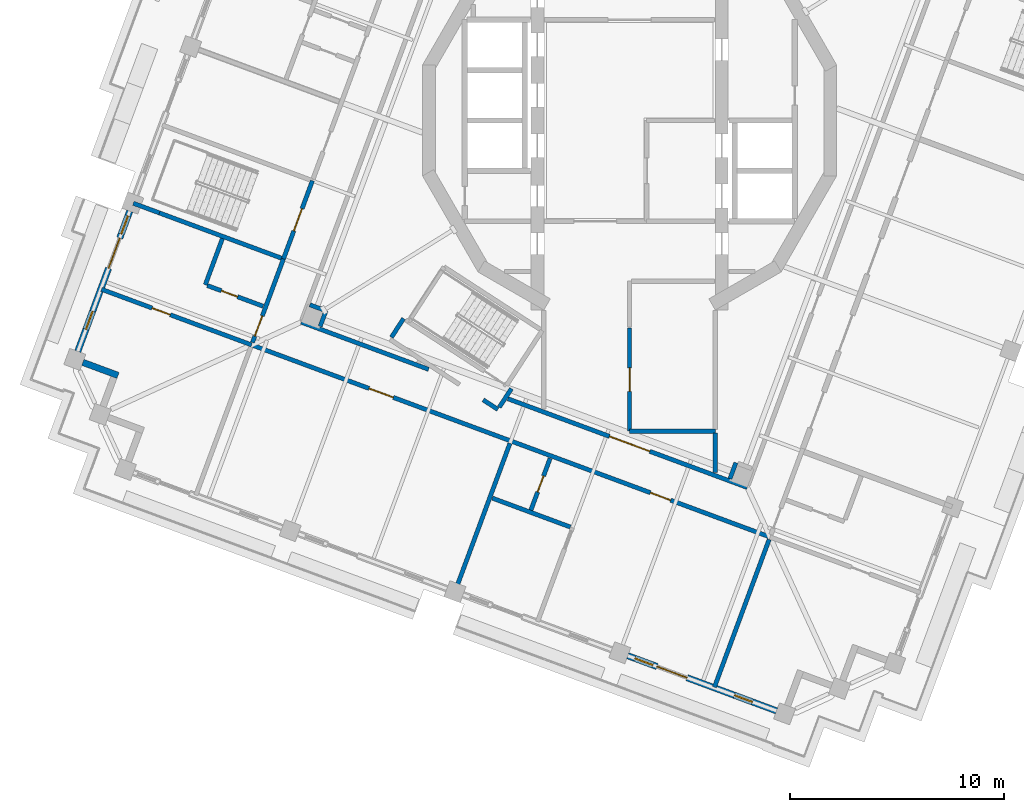
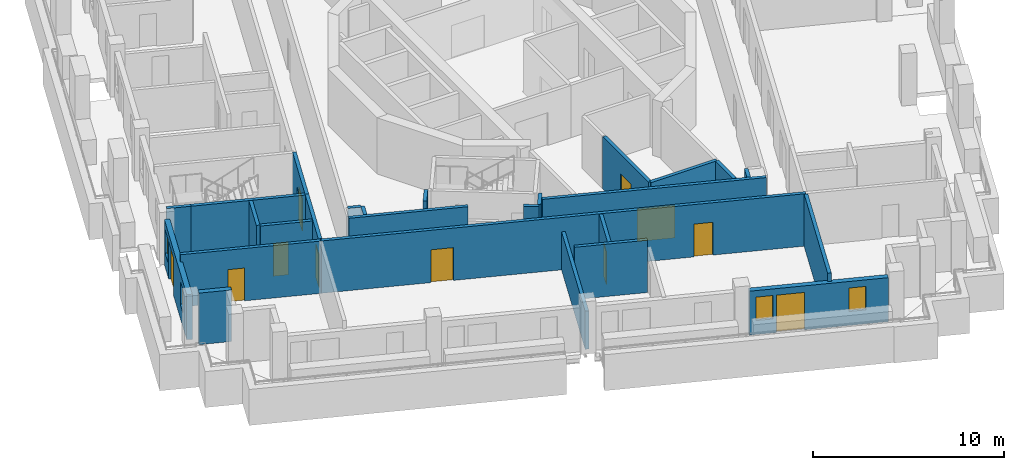
# One storey, part 4 of 19: 26 walls, 11 doors, 4 windows, 15 openings.
"""IFC4 building model written with IfcOpenShell, lengths in metres."""

from ifc_helpers import new_model, si_unit, direction, frame, frame_2d, origin, place, context, subcontext, project, spatial, rectangle, extrude, material, layer, layer_set, type_object, element, fill, save


model = new_model("IFC4")

# Units and contexts
model_context = context("Model", 3, precision=1e-05, world=origin(), true_north=direction((0.0, 1.0)))
body_context = subcontext(model_context, "Body", "Model", "MODEL_VIEW")
ifc_project = project(units=[si_unit("LENGTHUNIT", "METRE"), si_unit("AREAUNIT", "SQUARE_METRE"), si_unit("VOLUMEUNIT", "CUBIC_METRE"), si_unit("PLANEANGLEUNIT", "RADIAN"), si_unit("MASSUNIT", "GRAM", prefix="KILO")], contexts=[model_context])

# Site, building, storey
site_placement = place(None, origin())
site = spatial("IfcSite", under=ifc_project, at=site_placement, CompositionType="ELEMENT")
building_placement = place(site_placement, origin())
building = spatial("IfcBuilding", under=site, at=building_placement, Name="Cantera Rosa Tower", CompositionType="ELEMENT")
storey_placement = place(building_placement, frame((0.0, 0.0, 327.699951171875)))
storey = spatial("IfcBuildingStorey", under=building, at=storey_placement, Name="L73", CompositionType="ELEMENT", Elevation=327.699951171875)

# Wall, openings, doors
ifc_material_1 = material(Name="Gypsum board partition")
ifc_layer_1 = layer(ifc_material_1, 0.199951171875)
ifc_layer_set_1 = layer_set([ifc_layer_1], Name="CORRIDOR WALL 200 H3350")
wall_type_1 = type_object("IfcWallType", Name="CORRIDOR WALL 200 H3350", PredefinedType="PARTITIONING", material=ifc_layer_set_1)
wall_1_placement = place(storey_placement, frame((-17.61962890625, -10.48046875, 0.0), z_axis=(0.0, 0.0, 1.0), x_axis=(0.937683515105, -0.347490468214, 0.0)))
wall_1 = element("IfcWall", 1, at=wall_1_placement, inside=storey, type_object=wall_type_1, Name="CORRIDOR WALL L73-007", PredefinedType="PARTITIONING", context=body_context, shape_type="SweptSolid", body=[
    extrude(rectangle(XDim=25.77978515625, YDim=0.199951171875, at=frame_2d((12.889892578125, 0.0))), origin(), (0.0, 0.0, 1.0), 3.35009765625),
])
opening_1_placement = place(wall_1_placement, frame((5.830078125, 0.0, 0.0)))
opening_1 = element("IfcOpeningElement", 2, at=opening_1_placement, cuts=wall_1, Name="Opening L73-041", PredefinedType="OPENING", context=body_context, shape_type="SweptSolid", body=[
    extrude(rectangle(XDim=1.199951171875, YDim=2.10009765625, at=frame_2d((0.60009765625, 1.050048828125))), frame((0.0, 0.10986328125, 0.0), z_axis=(0.0, -1.0, 0.0), x_axis=(1.0, 0.0, 0.0)), (0.0, 0.0, 1.0), 0.219970703125),
])
opening_2_placement = place(wall_1_placement, frame((19.830078125, 0.0, 0.0)))
opening_2 = element("IfcOpeningElement", 3, at=opening_2_placement, cuts=wall_1, Name="Opening L73-042", PredefinedType="OPENING", context=body_context, shape_type="SweptSolid", body=[
    extrude(rectangle(XDim=1.0, YDim=2.10009765625, at=frame_2d((0.5, 1.050048828125))), frame((0.0, 0.10986328125, 0.0), z_axis=(0.0, -1.0, 0.0), x_axis=(1.0, 0.0, 0.0)), (0.0, 0.0, 1.0), 0.219970703125),
])
ifc_material_2 = material(Name="Timber door leaf", Category="wood")
door_type_1 = type_object("IfcDoorType", Name="ENTRANCE DOOR 1000x2100", OperationType="NOTDEFINED", PredefinedType="DOOR", material=ifc_material_2)
door_1_placement = place(opening_2_placement, origin())
door_1 = element("IfcDoor", 4, at=door_1_placement, inside=storey, type_object=door_type_1, Name="DOOR L73-042", OperationType="NOTDEFINED", OverallHeight=2.10009765625, OverallWidth=1.0, PredefinedType="DOOR", context=body_context, shape_type="SweptSolid", body=[
    extrude(rectangle(XDim=1.0, YDim=2.10009765625, at=frame_2d((0.5, 1.050048828125))), frame((0.0, 0.02490234375, 0.0), z_axis=(0.0, -1.0, 0.0), x_axis=(1.0, 0.0, 0.0)), (0.0, 0.0, 1.0), 0.050048828125),
])
fill(opening_2, door_1)
ifc_material_3 = material(Name="Timber door leaf", Category="wood")
door_type_2 = type_object("IfcDoorType", Name="ROOM DOOR 1200x2100", OperationType="NOTDEFINED", PredefinedType="DOOR", material=ifc_material_3)
door_2_placement = place(opening_1_placement, origin())
door_2 = element("IfcDoor", 5, at=door_2_placement, inside=storey, type_object=door_type_2, Name="DOOR L73-041", OperationType="NOTDEFINED", OverallHeight=2.10009765625, OverallWidth=1.199951171875, PredefinedType="DOOR", context=body_context, shape_type="SweptSolid", body=[
    extrude(rectangle(XDim=1.199951171875, YDim=2.10009765625, at=frame_2d((0.60009765625, 1.050048828125))), frame((0.0, 0.02490234375, 0.0), z_axis=(0.0, -1.0, 0.0), x_axis=(1.0, 0.0, 0.0)), (0.0, 0.0, 1.0), 0.050048828125),
])
fill(opening_1, door_2)

# Wall, opening, door
wall_2_placement = place(storey_placement, frame((-16.1513671875, -6.460205078125, 0.0), z_axis=(0.0, 0.0, 1.0), x_axis=(-0.34742903777, -0.937706277954, 0.0)))
wall_2 = element("IfcWall", 6, at=wall_2_placement, inside=storey, type_object=wall_type_1, Name="CORRIDOR WALL L73-010", PredefinedType="PARTITIONING", context=body_context, shape_type="SweptSolid", body=[
    extrude(rectangle(XDim=4.159912109375, YDim=0.199951171875, at=frame_2d((2.080078125, 0.0))), origin(), (0.0, 0.0, 1.0), 3.35009765625),
])
opening_3_placement = place(wall_2_placement, frame((2.840087890625, 0.0, 0.0)))
opening_3 = element("IfcOpeningElement", 7, at=opening_3_placement, cuts=wall_2, Name="Opening L73-038", PredefinedType="OPENING", context=body_context, shape_type="SweptSolid", body=[
    extrude(rectangle(XDim=1.0, YDim=2.10009765625, at=frame_2d((0.5, 1.050048828125))), frame((0.0, 0.10986328125, 0.0), z_axis=(0.0, -1.0, 0.0), x_axis=(1.0, 0.0, 0.0)), (0.0, 0.0, 1.0), 0.219970703125),
])
door_3_placement = place(opening_3_placement, origin())
door_3 = element("IfcDoor", 8, at=door_3_placement, inside=storey, type_object=door_type_1, Name="DOOR L73-038", OperationType="NOTDEFINED", OverallHeight=2.10009765625, OverallWidth=1.0, PredefinedType="DOOR", context=body_context, shape_type="SweptSolid", body=[
    extrude(rectangle(XDim=1.0, YDim=2.10009765625, at=frame_2d((0.5, 1.050048828125))), frame((0.0, 0.02490234375, 0.0), z_axis=(0.0, -1.0, 0.0), x_axis=(1.0, 0.0, 0.0)), (0.0, 0.0, 1.0), 0.050048828125),
])
fill(opening_3, door_3)

# Walls
wall_3_placement = place(storey_placement, frame((-15.3251953125, -9.4111328125, 0.0), z_axis=(0.0, 0.0, 1.0), x_axis=(0.937682798528, -0.347492401852, 0.0)))
element("IfcWall", 9, at=wall_3_placement, inside=storey, type_object=wall_type_1, Name="CORRIDOR WALL L73-013", PredefinedType="PARTITIONING", context=body_context, shape_type="SweptSolid", body=[
    extrude(rectangle(XDim=6.341552734375, YDim=0.199951171875, at=frame_2d((3.1708984375, 0.0))), origin(), (0.0, 0.0, 1.0), 3.35009765625),
])
wall_4_placement = place(storey_placement, frame((-6.83251953125, -13.038330078125, 0.0), z_axis=(0.0, 0.0, 1.0), x_axis=(0.838593374038, -0.54475788477, 0.0)))
element("IfcWall", 10, at=wall_4_placement, inside=storey, type_object=wall_type_1, Name="CORRIDOR WALL L73-023", PredefinedType="PARTITIONING", context=body_context, shape_type="SweptSolid", body=[
    extrude(rectangle(XDim=0.8193359375, YDim=0.199951171875, at=frame_2d((0.40966796875, 0.0))), origin(), (0.0, 0.0, 1.0), 3.35009765625),
])
for number, where, z_axis, x_axis, name in (
    (11, (-10.546630859375, -9.2451171875, 0.0), (0.0, 0.0, 1.0), (-0.544732150362, -0.838610090782, 0.0), "CORRIDOR WALL L73-025"),
    (12, (-6.080078125, -13.3837890625, 0.0), (0.0, 0.0, 1.0), (0.544566778899, 0.838717487191, 0.0), "CORRIDOR WALL L73-039"),
):
    element("IfcWall", number, at=place(storey_placement, frame(where, z_axis=z_axis, x_axis=x_axis)), inside=storey, type_object=wall_type_1, Name=name, PredefinedType="PARTITIONING", context=body_context, shape_type="SweptSolid", body=[
        extrude(rectangle(XDim=1.038330078125, YDim=0.199951171875, at=frame_2d((0.51904296875, 0.0))), origin(), (0.0, 0.0, 1.0), 3.35009765625),
    ])

# Wall, opening, door
wall_5_placement = place(storey_placement, frame((-5.681396484375, -12.98486328125, 0.0), z_axis=(0.0, 0.0, 1.0), x_axis=(0.937686213924, -0.347483185516, 0.0)))
wall_5 = element("IfcWall", 13, at=wall_5_placement, inside=storey, type_object=wall_type_1, Name="CORRIDOR WALL L73-042", PredefinedType="PARTITIONING", context=body_context, shape_type="SweptSolid", body=[
    extrude(rectangle(XDim=11.915283203125, YDim=0.199951171875, at=frame_2d((5.95751953125, 0.0))), origin(), (0.0, 0.0, 1.0), 3.35009765625),
])
opening_4_placement = place(wall_5_placement, frame((5.05908203125, 0.0, 0.0)))
opening_4 = element("IfcOpeningElement", 14, at=opening_4_placement, cuts=wall_5, Name="Opening L73-011", PredefinedType="OPENING", context=body_context, shape_type="SweptSolid", body=[
    extrude(rectangle(XDim=2.0, YDim=2.10009765625, at=frame_2d((1.0, 1.050048828125))), frame((0.0, 0.10986328125, 0.0), z_axis=(0.0, -1.0, 0.0), x_axis=(1.0, 0.0, 0.0)), (0.0, 0.0, 1.0), 0.219970703125),
])
ifc_material_4 = material(Name="Steel S355J2 (EN 10025-2)", Category="steel")
door_type_3 = type_object("IfcDoorType", Name="LOBBY SCREEN DOOR 2000x2100", OperationType="NOTDEFINED", PredefinedType="DOOR", material=ifc_material_4)
door_4_placement = place(opening_4_placement, origin())
door_4 = element("IfcDoor", 15, at=door_4_placement, inside=storey, type_object=door_type_3, Name="DOOR L73-011", OperationType="NOTDEFINED", OverallHeight=2.10009765625, OverallWidth=2.0, PredefinedType="DOOR", context=body_context, shape_type="SweptSolid", body=[
    extrude(rectangle(XDim=2.0, YDim=2.10009765625, at=frame_2d((1.0, 1.050048828125))), frame((0.0, 0.02490234375, 0.0), z_axis=(0.0, -1.0, 0.0), x_axis=(1.0, 0.0, 0.0)), (0.0, 0.0, 1.0), 0.050048828125),
])
fill(opening_4, door_4)

# Wall
wall_6_placement = place(storey_placement, frame((0.0, -14.5, 0.0), z_axis=(0.0, 0.0, 1.0), x_axis=(1.0, 0.0, 0.0)))
element("IfcWall", 16, at=wall_6_placement, inside=storey, type_object=wall_type_1, Name="CORRIDOR WALL L73-062", PredefinedType="PARTITIONING", context=body_context, shape_type="SweptSolid", body=[
    extrude(rectangle(XDim=4.0, YDim=0.199951171875, at=frame_2d((2.0, 0.0))), origin(), (0.0, 0.0, 1.0), 3.35009765625),
])

# Wall, opening, door
wall_7_placement = place(storey_placement, frame((0.0, -9.689208984375, 0.0), z_axis=(0.0, 0.0, 1.0), x_axis=(0.0, -1.0, 0.0)))
wall_7 = element("IfcWall", 17, at=wall_7_placement, inside=storey, type_object=wall_type_1, Name="CORRIDOR WALL L73-063", PredefinedType="PARTITIONING", context=body_context, shape_type="SweptSolid", body=[
    extrude(rectangle(XDim=4.810791015625, YDim=0.199951171875, at=frame_2d((2.4052734375, 0.0))), origin(), (0.0, 0.0, 1.0), 3.35009765625),
])
opening_5_placement = place(wall_7_placement, frame((1.85546875, 0.0, 0.0)))
opening_5 = element("IfcOpeningElement", 18, at=opening_5_placement, cuts=wall_7, Name="Opening L73-015", PredefinedType="OPENING", context=body_context, shape_type="SweptSolid", body=[
    extrude(rectangle(XDim=1.10009765625, YDim=2.10009765625, at=frame_2d((0.550048828125, 1.050048828125))), frame((0.0, 0.10986328125, 0.0), z_axis=(0.0, -1.0, 0.0), x_axis=(1.0, 0.0, 0.0)), (0.0, 0.0, 1.0), 0.219970703125),
])
ifc_material_5 = material(Name="Timber door leaf", Category="wood")
door_type_4 = type_object("IfcDoorType", Name="ROOM DOOR 1100x2100", OperationType="NOTDEFINED", PredefinedType="DOOR", material=ifc_material_5)
door_5_placement = place(opening_5_placement, origin())
door_5 = element("IfcDoor", 19, at=door_5_placement, inside=storey, type_object=door_type_4, Name="DOOR L73-015", OperationType="NOTDEFINED", OverallHeight=2.10009765625, OverallWidth=1.10009765625, PredefinedType="DOOR", context=body_context, shape_type="SweptSolid", body=[
    extrude(rectangle(XDim=1.10009765625, YDim=2.10009765625, at=frame_2d((0.550048828125, 1.050048828125))), frame((0.0, 0.02490234375, 0.0), z_axis=(0.0, -1.0, 0.0), x_axis=(1.0, 0.0, 0.0)), (0.0, 0.0, 1.0), 0.050048828125),
])
fill(opening_5, door_5)

# Walls
wall_8_placement = place(storey_placement, frame((4.0, -16.4326171875, 0.0), z_axis=(0.0, 0.0, 1.0), x_axis=(0.0, 1.0, 0.0)))
element("IfcWall", 20, at=wall_8_placement, inside=storey, type_object=wall_type_1, Name="CORRIDOR WALL L73-077", PredefinedType="PARTITIONING", context=body_context, shape_type="SweptSolid", body=[
    extrude(rectangle(XDim=1.8525390625, YDim=0.199951171875, at=frame_2d((0.92626953125, 0.0))), origin(), (0.0, 0.0, 1.0), 3.35009765625),
])
ifc_material_6 = material(Name="Hollow clay masonry with cantera stone cladding", Category="masonry")
ifc_layer_2 = layer(ifc_material_6, 0.300048828125)
ifc_layer_set_2 = layer_set([ifc_layer_2], Name="EW-LOGGIA 300")
wall_type_2 = type_object("IfcWallType", Name="EW-LOGGIA 300", PredefinedType="SOLIDWALL", material=ifc_layer_set_2)
wall_9_placement = place(storey_placement, frame((-25.51220703125, -11.288330078125, 0.0), z_axis=(0.0, 0.0, 1.0), x_axis=(0.937669639538, -0.34752790836, 0.0)))
element("IfcWall", 21, at=wall_9_placement, inside=storey, type_object=wall_type_2, Name="EN-L73-W12a", PredefinedType="SOLIDWALL", context=body_context, shape_type="SweptSolid", body=[
    extrude(rectangle(XDim=1.75, YDim=0.300048828125, at=frame_2d((0.875, 0.0))), origin(), (0.0, 0.0, 1.0), 3.300048828125),
])

# Wall, openings, windows, door
ifc_material_7 = material(Name="Hollow clay masonry with cantera stone cladding", Category="masonry")
ifc_layer_3 = layer(ifc_material_7, 0.300048828125)
ifc_layer_set_3 = layer_set([ifc_layer_3], Name="EW-LOGGIA 300 H2820")
wall_type_3 = type_object("IfcWallType", Name="EW-LOGGIA 300 H2820", PredefinedType="SOLIDWALL", material=ifc_layer_set_3)
wall_10_placement = place(storey_placement, frame((-0.084228515625, -24.97705078125, 0.0), z_axis=(0.0, 0.0, 1.0), x_axis=(0.937687456783, -0.347479831633, 0.0)))
wall_10 = element("IfcWall", 22, at=wall_10_placement, inside=storey, type_object=wall_type_3, Name="EN-L73-W17", PredefinedType="SOLIDWALL", context=body_context, shape_type="SweptSolid", body=[
    extrude(rectangle(XDim=7.39990234375, YDim=0.300048828125, at=frame_2d((3.699951171875, 0.0))), origin(), (0.0, 0.0, 1.0), 2.820068359375),
])
opening_6_placement = place(wall_10_placement, frame((0.35009765625, 0.0, 0.89990234375)))
opening_6 = element("IfcOpeningElement", 23, at=opening_6_placement, cuts=wall_10, Name="Opening L73-W37", PredefinedType="OPENING", context=body_context, shape_type="SweptSolid", body=[
    extrude(rectangle(XDim=0.89990234375, YDim=1.5, at=frame_2d((0.449951171875, 0.75))), frame((0.0, 0.159912109375, 0.0), z_axis=(0.0, -1.0, 0.0), x_axis=(1.0, 0.0, 0.0)), (0.0, 0.0, 1.0), 0.320068359375),
])
opening_7_placement = place(wall_10_placement, frame((1.449951171875, 0.0, 0.0)))
opening_7 = element("IfcOpeningElement", 24, at=opening_7_placement, cuts=wall_10, Name="Opening L73-TD38", PredefinedType="OPENING", context=body_context, shape_type="SweptSolid", body=[
    extrude(rectangle(XDim=1.5, YDim=2.39990234375, at=frame_2d((0.75, 1.199951171875))), frame((0.0, 0.159912109375, 0.0), z_axis=(0.0, -1.0, 0.0), x_axis=(1.0, 0.0, 0.0)), (0.0, 0.0, 1.0), 0.320068359375),
])
opening_8_placement = place(wall_10_placement, frame((5.300048828125, 0.0, 0.89990234375)))
opening_8 = element("IfcOpeningElement", 25, at=opening_8_placement, cuts=wall_10, Name="Opening L73-W39", PredefinedType="OPENING", context=body_context, shape_type="SweptSolid", body=[
    extrude(rectangle(XDim=0.89990234375, YDim=1.5, at=frame_2d((0.449951171875, 0.75))), frame((0.0, 0.159912109375, 0.0), z_axis=(0.0, -1.0, 0.0), x_axis=(1.0, 0.0, 0.0)), (0.0, 0.0, 1.0), 0.320068359375),
])
ifc_material_8 = material(Name="Aluminium frame with clear glass", Category="aluminium")
window_type = type_object("IfcWindowType", Name="Residential window 900x1500", PartitioningType="SINGLE_PANEL", PredefinedType="WINDOW", material=ifc_material_8)
window_1_placement = place(opening_6_placement, origin())
window_1 = element("IfcWindow", 26, at=window_1_placement, inside=storey, type_object=window_type, Name="WINDOW L73-W37", OverallHeight=1.5, OverallWidth=0.89990234375, PartitioningType="SINGLE_PANEL", PredefinedType="WINDOW", context=body_context, shape_type="SweptSolid", body=[
    extrude(rectangle(XDim=0.89990234375, YDim=1.5, at=frame_2d((0.449951171875, 0.75))), frame((0.0, 0.030029296875, 0.0), z_axis=(0.0, -1.0, 0.0), x_axis=(1.0, 0.0, 0.0)), (0.0, 0.0, 1.0), 0.06005859375),
])
fill(opening_6, window_1)
window_2_placement = place(opening_8_placement, origin())
window_2 = element("IfcWindow", 27, at=window_2_placement, inside=storey, type_object=window_type, Name="WINDOW L73-W39", OverallHeight=1.5, OverallWidth=0.89990234375, PartitioningType="SINGLE_PANEL", PredefinedType="WINDOW", context=body_context, shape_type="SweptSolid", body=[
    extrude(rectangle(XDim=0.89990234375, YDim=1.5, at=frame_2d((0.449951171875, 0.75))), frame((0.0, 0.030029296875, 0.0), z_axis=(0.0, -1.0, 0.0), x_axis=(1.0, 0.0, 0.0)), (0.0, 0.0, 1.0), 0.06005859375),
])
fill(opening_8, window_2)
ifc_material_9 = material(Name="Aluminium frame with clear glass", Category="aluminium")
door_type_5 = type_object("IfcDoorType", Name="TD-R 1500x2400", OperationType="NOTDEFINED", PredefinedType="DOOR", material=ifc_material_9)
door_6_placement = place(opening_7_placement, origin())
door_6 = element("IfcDoor", 28, at=door_6_placement, inside=storey, type_object=door_type_5, Name="LOGGIA DOOR L73-TD38", OperationType="SLIDING_TO_LEFT", OverallHeight=2.39990234375, OverallWidth=1.5, PredefinedType="DOOR", context=body_context, shape_type="SweptSolid", body=[
    extrude(rectangle(XDim=1.5, YDim=2.39990234375, at=frame_2d((0.75, 1.199951171875))), frame((0.0, 0.02490234375, 0.0), z_axis=(0.0, -1.0, 0.0), x_axis=(1.0, 0.0, 0.0)), (0.0, 0.0, 1.0), 0.050048828125),
])
fill(opening_7, door_6)

ifc_material_10 = material(Name="Hollow clay masonry with cantera stone cladding", Category="masonry")
ifc_layer_4 = layer(ifc_material_10, 0.300048828125)
ifc_layer_set_4 = layer_set([ifc_layer_4], Name="EW-LOGGIA 300 H2890")
wall_type_4 = type_object("IfcWallType", Name="EW-LOGGIA 300 H2890", PredefinedType="SOLIDWALL", material=ifc_layer_set_4)
wall_11_placement = place(storey_placement, frame((-23.322998046875, -4.229248046875, 0.0), z_axis=(0.0, 0.0, 1.0), x_axis=(-0.347460165909, -0.937694744097, 0.0)))
wall_11 = element("IfcWall", 29, at=wall_11_placement, inside=storey, type_object=wall_type_4, Name="EN-L73-W11", PredefinedType="SOLIDWALL", context=body_context, shape_type="SweptSolid", body=[
    extrude(rectangle(XDim=6.97998046875, YDim=0.300048828125, at=frame_2d((3.489990234375, 0.0))), origin(), (0.0, 0.0, 1.0), 2.89013671875),
])
opening_9_placement = place(wall_11_placement, frame((0.2451171875, 0.0, 0.89990234375)))
opening_9 = element("IfcOpeningElement", 30, at=opening_9_placement, cuts=wall_11, Name="Opening L73-W25", PredefinedType="OPENING", context=body_context, shape_type="SweptSolid", body=[
    extrude(rectangle(XDim=0.89990234375, YDim=1.5, at=frame_2d((0.449951171875, 0.75))), frame((0.0, 0.159912109375, 0.0), z_axis=(0.0, -1.0, 0.0), x_axis=(1.0, 0.0, 0.0)), (0.0, 0.0, 1.0), 0.320068359375),
])
opening_10_placement = place(wall_11_placement, frame((1.344970703125, 0.0, 0.0)))
opening_10 = element("IfcOpeningElement", 31, at=opening_10_placement, cuts=wall_11, Name="Opening L73-TD26", PredefinedType="OPENING", context=body_context, shape_type="SweptSolid", body=[
    extrude(rectangle(XDim=1.5, YDim=2.39990234375, at=frame_2d((0.75, 1.199951171875))), frame((0.0, 0.159912109375, 0.0), z_axis=(0.0, -1.0, 0.0), x_axis=(1.0, 0.0, 0.0)), (0.0, 0.0, 1.0), 0.320068359375),
])
opening_11_placement = place(wall_11_placement, frame((4.985107421875, 0.0, 0.89990234375)))
opening_11 = element("IfcOpeningElement", 32, at=opening_11_placement, cuts=wall_11, Name="Opening L73-W27", PredefinedType="OPENING", context=body_context, shape_type="SweptSolid", body=[
    extrude(rectangle(XDim=0.89990234375, YDim=1.5, at=frame_2d((0.449951171875, 0.75))), frame((0.0, 0.159912109375, 0.0), z_axis=(0.0, -1.0, 0.0), x_axis=(1.0, 0.0, 0.0)), (0.0, 0.0, 1.0), 0.320068359375),
])
window_3_placement = place(opening_9_placement, origin())
window_3 = element("IfcWindow", 33, at=window_3_placement, inside=storey, type_object=window_type, Name="WINDOW L73-W25", OverallHeight=1.5, OverallWidth=0.89990234375, PartitioningType="SINGLE_PANEL", PredefinedType="WINDOW", context=body_context, shape_type="SweptSolid", body=[
    extrude(rectangle(XDim=0.89990234375, YDim=1.5, at=frame_2d((0.449951171875, 0.75))), frame((0.0, 0.030029296875, 0.0), z_axis=(0.0, -1.0, 0.0), x_axis=(1.0, 0.0, 0.0)), (0.0, 0.0, 1.0), 0.06005859375),
])
fill(opening_9, window_3)
window_4_placement = place(opening_11_placement, origin())
window_4 = element("IfcWindow", 34, at=window_4_placement, inside=storey, type_object=window_type, Name="WINDOW L73-W27", OverallHeight=1.5, OverallWidth=0.89990234375, PartitioningType="SINGLE_PANEL", PredefinedType="WINDOW", context=body_context, shape_type="SweptSolid", body=[
    extrude(rectangle(XDim=0.89990234375, YDim=1.5, at=frame_2d((0.449951171875, 0.75))), frame((0.0, 0.030029296875, 0.0), z_axis=(0.0, -1.0, 0.0), x_axis=(1.0, 0.0, 0.0)), (0.0, 0.0, 1.0), 0.06005859375),
])
fill(opening_11, window_4)
door_7_placement = place(opening_10_placement, origin())
door_7 = element("IfcDoor", 35, at=door_7_placement, inside=storey, type_object=door_type_5, Name="LOGGIA DOOR L73-TD26", OperationType="SLIDING_TO_LEFT", OverallHeight=2.39990234375, OverallWidth=1.5, PredefinedType="DOOR", context=body_context, shape_type="SweptSolid", body=[
    extrude(rectangle(XDim=1.5, YDim=2.39990234375, at=frame_2d((0.75, 1.199951171875))), frame((0.0, 0.02490234375, 0.0), z_axis=(0.0, -1.0, 0.0), x_axis=(1.0, 0.0, 0.0)), (0.0, 0.0, 1.0), 0.050048828125),
])
fill(opening_10, door_7)

# Wall, opening, door
ifc_material_11 = material(Name="Gypsum board partition")
ifc_layer_5 = layer(ifc_material_11, 0.199951171875)
ifc_layer_set_5 = layer_set([ifc_layer_5], Name="PARTITION 200 H3350")
wall_type_5 = type_object("IfcWallType", Name="PARTITION 200 H3350", PredefinedType="PARTITIONING", material=ifc_layer_set_5)
wall_12_placement = place(storey_placement, frame((-24.64306640625, -7.8779296875, 0.0), z_axis=(0.0, 0.0, 1.0), x_axis=(0.93768803379, -0.347478274555, 0.0)))
wall_12 = element("IfcWall", 36, at=wall_12_placement, inside=storey, type_object=wall_type_5, Name="PARTITION L73-001", PredefinedType="PARTITIONING", context=body_context, shape_type="SweptSolid", body=[
    extrude(rectangle(XDim=7.47021484375, YDim=0.199951171875, at=frame_2d((3.735107421875, 0.0))), origin(), (0.0, 0.0, 1.0), 3.35009765625),
])
opening_12_placement = place(wall_12_placement, frame((2.52001953125, 0.0, 0.0)))
opening_12 = element("IfcOpeningElement", 37, at=opening_12_placement, cuts=wall_12, Name="Opening L73-040", PredefinedType="OPENING", context=body_context, shape_type="SweptSolid", body=[
    extrude(rectangle(XDim=0.89990234375, YDim=2.10009765625, at=frame_2d((0.449951171875, 1.050048828125))), frame((0.0, 0.10986328125, 0.0), z_axis=(0.0, -1.0, 0.0), x_axis=(1.0, 0.0, 0.0)), (0.0, 0.0, 1.0), 0.219970703125),
])
ifc_material_12 = material(Name="Timber door leaf", Category="wood")
door_type_6 = type_object("IfcDoorType", Name="ROOM DOOR 900x2100", OperationType="NOTDEFINED", PredefinedType="DOOR", material=ifc_material_12)
door_8_placement = place(opening_12_placement, origin())
door_8 = element("IfcDoor", 38, at=door_8_placement, inside=storey, type_object=door_type_6, Name="DOOR L73-040", OperationType="NOTDEFINED", OverallHeight=2.10009765625, OverallWidth=0.89990234375, PredefinedType="DOOR", context=body_context, shape_type="SweptSolid", body=[
    extrude(rectangle(XDim=0.89990234375, YDim=2.10009765625, at=frame_2d((0.449951171875, 1.050048828125))), frame((0.0, 0.02490234375, 0.0), z_axis=(0.0, -1.0, 0.0), x_axis=(1.0, 0.0, 0.0)), (0.0, 0.0, 1.0), 0.050048828125),
])
fill(opening_12, door_8)

# Wall
wall_13_placement = place(storey_placement, frame((-19.79833984375, -7.668212890625, 0.0), z_axis=(0.0, 0.0, 1.0), x_axis=(0.347549446773, 0.937661656488, 0.0)))
element("IfcWall", 39, at=wall_13_placement, inside=storey, type_object=wall_type_5, Name="PARTITION L73-003", PredefinedType="PARTITIONING", context=body_context, shape_type="SweptSolid", body=[
    extrude(rectangle(XDim=2.2998046875, YDim=0.199951171875, at=frame_2d((1.14990234375, 0.0))), origin(), (0.0, 0.0, 1.0), 3.35009765625),
])

# Wall, opening, door
wall_14_placement = place(storey_placement, frame((-17.09765625, -8.6689453125, 0.0), z_axis=(0.0, 0.0, 1.0), x_axis=(-0.937714858081, 0.347405879244, 0.0)))
wall_14 = element("IfcWall", 40, at=wall_14_placement, inside=storey, type_object=wall_type_5, Name="PARTITION L73-008", PredefinedType="PARTITIONING", context=body_context, shape_type="SweptSolid", body=[
    extrude(rectangle(XDim=2.780029296875, YDim=0.199951171875, at=frame_2d((1.39013671875, 0.0))), origin(), (0.0, 0.0, 1.0), 3.35009765625),
])
opening_13_placement = place(wall_14_placement, frame((1.280029296875, 0.0, 0.0)))
opening_13 = element("IfcOpeningElement", 41, at=opening_13_placement, cuts=wall_14, Name="Opening L73-039", PredefinedType="OPENING", context=body_context, shape_type="SweptSolid", body=[
    extrude(rectangle(XDim=0.800048828125, YDim=2.10009765625, at=frame_2d((0.39990234375, 1.050048828125))), frame((0.0, 0.10986328125, 0.0), z_axis=(0.0, -1.0, 0.0), x_axis=(1.0, 0.0, 0.0)), (0.0, 0.0, 1.0), 0.219970703125),
])
ifc_material_13 = material(Name="Timber door leaf", Category="wood")
door_type_7 = type_object("IfcDoorType", Name="BATHROOM DOOR 800x2100", OperationType="NOTDEFINED", PredefinedType="DOOR", material=ifc_material_13)
door_9_placement = place(opening_13_placement, origin())
door_9 = element("IfcDoor", 42, at=door_9_placement, inside=storey, type_object=door_type_7, Name="DOOR L73-039", OperationType="NOTDEFINED", OverallHeight=2.10009765625, OverallWidth=0.800048828125, PredefinedType="DOOR", context=body_context, shape_type="SweptSolid", body=[
    extrude(rectangle(XDim=0.800048828125, YDim=2.10009765625, at=frame_2d((0.39990234375, 1.050048828125))), frame((0.0, 0.02490234375, 0.0), z_axis=(0.0, -1.0, 0.0), x_axis=(1.0, 0.0, 0.0)), (0.0, 0.0, 1.0), 0.050048828125),
])
fill(opening_13, door_9)

# Walls
wall_15_placement = place(storey_placement, frame((-14.439697265625, -9.611328125, 0.0), z_axis=(0.0, 0.0, 1.0), x_axis=(0.347691457596, 0.937609007164, 0.0)))
element("IfcWall", 43, at=wall_15_placement, inside=storey, type_object=wall_type_5, Name="PARTITION L73-017", PredefinedType="PARTITIONING", context=body_context, shape_type="SweptSolid", body=[
    extrude(rectangle(XDim=0.780029296875, YDim=0.199951171875, at=frame_2d((0.39013671875, 0.0))), origin(), (0.0, 0.0, 1.0), 3.35009765625),
])
wall_16_placement = place(storey_placement, frame((-14.26220703125, -8.84521484375, 0.0), z_axis=(0.0, 0.0, 1.0), x_axis=(-0.937740347131, 0.347337071678, 0.0)))
element("IfcWall", 44, at=wall_16_placement, inside=storey, type_object=wall_type_5, Name="PARTITION L73-018", PredefinedType="PARTITIONING", context=body_context, shape_type="SweptSolid", body=[
    extrude(rectangle(XDim=0.7001953125, YDim=0.199951171875, at=frame_2d((0.35009765625, 0.0))), origin(), (0.0, 0.0, 1.0), 3.35009765625),
])

# Wall, opening, door
wall_17_placement = place(storey_placement, frame((-3.70849609375, -15.763671875, 0.0), z_axis=(0.0, 0.0, 1.0), x_axis=(-0.347563980018, -0.937656269533, 0.0)))
wall_17 = element("IfcWall", 45, at=wall_17_placement, inside=storey, type_object=wall_type_5, Name="PARTITION L73-057", PredefinedType="PARTITIONING", context=body_context, shape_type="SweptSolid", body=[
    extrude(rectangle(XDim=2.580078125, YDim=0.199951171875, at=frame_2d((1.2900390625, 0.0))), origin(), (0.0, 0.0, 1.0), 3.35009765625),
])
opening_14_placement = place(wall_17_placement, frame((0.8798828125, 0.0, 0.0)))
opening_14 = element("IfcOpeningElement", 46, at=opening_14_placement, cuts=wall_17, Name="Opening L73-043", PredefinedType="OPENING", context=body_context, shape_type="SweptSolid", body=[
    extrude(rectangle(XDim=0.800048828125, YDim=2.10009765625, at=frame_2d((0.39990234375, 1.050048828125))), frame((0.0, 0.10986328125, 0.0), z_axis=(0.0, -1.0, 0.0), x_axis=(1.0, 0.0, 0.0)), (0.0, 0.0, 1.0), 0.219970703125),
])
door_10_placement = place(opening_14_placement, origin())
door_10 = element("IfcDoor", 47, at=door_10_placement, inside=storey, type_object=door_type_7, Name="DOOR L73-043", OperationType="NOTDEFINED", OverallHeight=2.10009765625, OverallWidth=0.800048828125, PredefinedType="DOOR", context=body_context, shape_type="SweptSolid", body=[
    extrude(rectangle(XDim=0.800048828125, YDim=2.10009765625, at=frame_2d((0.39990234375, 1.050048828125))), frame((0.0, 0.02490234375, 0.0), z_axis=(0.0, -1.0, 0.0), x_axis=(1.0, 0.0, 0.0)), (0.0, 0.0, 1.0), 0.050048828125),
])
fill(opening_14, door_10)

# Walls
wall_18_placement = place(storey_placement, frame((-2.764404296875, -18.9716796875, 0.0), z_axis=(0.0, 0.0, 1.0), x_axis=(-0.937679675648, 0.347500828599, 0.0)))
element("IfcWall", 48, at=wall_18_placement, inside=storey, type_object=wall_type_5, Name="PARTITION L73-058", PredefinedType="PARTITIONING", context=body_context, shape_type="SweptSolid", body=[
    extrude(rectangle(XDim=3.880126953125, YDim=0.199951171875, at=frame_2d((1.93994140625, 0.0))), origin(), (0.0, 0.0, 1.0), 3.35009765625),
])
wall_19_placement = place(storey_placement, frame((4.960205078125, -15.96875, 0.0), z_axis=(0.0, 0.0, 1.0), x_axis=(-0.34737400582, -0.937726665975, 0.0)))
element("IfcWall", 49, at=wall_19_placement, inside=storey, type_object=wall_type_5, Name="PARTITION L73-084", PredefinedType="PARTITIONING", context=body_context, shape_type="SweptSolid", body=[
    extrude(rectangle(XDim=0.7998046875, YDim=0.199951171875, at=frame_2d((0.39990234375, 0.0))), origin(), (0.0, 0.0, 1.0), 3.35009765625),
])
ifc_material_14 = material(Name="Gypsum board partition")
ifc_layer_6 = layer(ifc_material_14, 0.199951171875)
ifc_layer_set_6 = layer_set([ifc_layer_6], Name="PARTY WALL 200 H2450")
wall_type_6 = type_object("IfcWallType", Name="PARTY WALL 200 H2450", PredefinedType="PARTITIONING", material=ifc_layer_set_6)
wall_20_placement = place(storey_placement, frame((-5.583984375, -15.068603515625, 0.0), z_axis=(0.0, 0.0, 1.0), x_axis=(-0.347473379308, -0.937689847803, 0.0)))
element("IfcWall", 50, at=wall_20_placement, inside=storey, type_object=wall_type_6, Name="PARTY WALL L73-044", PredefinedType="PARTITIONING", context=body_context, shape_type="SweptSolid", body=[
    extrude(rectangle(XDim=7.35009765625, YDim=0.199951171875, at=frame_2d((3.675048828125, 0.0))), origin(), (0.0, 0.0, 1.0), 2.449951171875),
])
ifc_material_15 = material(Name="Gypsum board partition")
ifc_layer_7 = layer(ifc_material_15, 0.199951171875)
ifc_layer_set_7 = layer_set([ifc_layer_7], Name="PARTY WALL 200 H3350")
wall_type_7 = type_object("IfcWallType", Name="PARTY WALL 200 H3350", PredefinedType="PARTITIONING", material=ifc_layer_set_7)
wall_21_placement = place(storey_placement, frame((3.958251953125, -26.443115234375, 0.0), z_axis=(0.0, 0.0, 1.0), x_axis=(0.347473379308, 0.937689847803, 0.0)))
element("IfcWall", 51, at=wall_21_placement, inside=storey, type_object=wall_type_7, Name="PARTY WALL L73-074", PredefinedType="PARTITIONING", context=body_context, shape_type="SweptSolid", body=[
    extrude(rectangle(XDim=7.35009765625, YDim=0.199951171875, at=frame_2d((3.675048828125, 0.0))), origin(), (0.0, 0.0, 1.0), 3.35009765625),
])
ifc_material_16 = material(Name="Concrete C50/60", Category="concrete")
ifc_layer_8 = layer(ifc_material_16, 0.199951171875)
ifc_layer_set_8 = layer_set([ifc_layer_8], Name="STAIR WALL 200 H3350")
wall_type_8 = type_object("IfcWallType", Name="STAIR WALL 200 H3350", PredefinedType="SOLIDWALL", material=ifc_layer_set_8)
wall_22_placement = place(storey_placement, frame((-23.15576171875, -3.864501953125, 0.0), z_axis=(0.0, 0.0, 1.0), x_axis=(0.937642248704, -0.347601802994, 0.0)))
element("IfcWall", 52, at=wall_22_placement, inside=storey, type_object=wall_type_8, Name="STAIR WALL L73-002", PredefinedType="SOLIDWALL", context=body_context, shape_type="SweptSolid", body=[
    extrude(rectangle(XDim=1.300048828125, YDim=0.199951171875, at=frame_2d((0.64990234375, 0.0))), origin(), (0.0, 0.0, 1.0), 3.35009765625),
])

# Wall, opening, door
wall_23_placement = place(storey_placement, frame((-16.1513671875, -6.460205078125, 0.0), z_axis=(0.0, 0.0, 1.0), x_axis=(0.347516717491, 0.937673787126, 0.0)))
wall_23 = element("IfcWall", 53, at=wall_23_placement, inside=storey, type_object=wall_type_8, Name="STAIR WALL L73-011", PredefinedType="SOLIDWALL", context=body_context, shape_type="SweptSolid", body=[
    extrude(rectangle(XDim=3.889892578125, YDim=0.199951171875, at=frame_2d((1.94482421875, 0.0))), origin(), (0.0, 0.0, 1.0), 3.35009765625),
])
opening_15_placement = place(wall_23_placement, frame((1.39501953125, 0.0, 0.0)))
opening_15 = element("IfcOpeningElement", 54, at=opening_15_placement, cuts=wall_23, Name="Opening L73-003", PredefinedType="OPENING", context=body_context, shape_type="SweptSolid", body=[
    extrude(rectangle(XDim=1.10009765625, YDim=2.10009765625, at=frame_2d((0.550048828125, 1.050048828125))), frame((0.0, 0.10986328125, 0.0), z_axis=(0.0, -1.0, 0.0), x_axis=(1.0, 0.0, 0.0)), (0.0, 0.0, 1.0), 0.219970703125),
])
ifc_material_17 = material(Name="Steel S355J2 (EN 10025-2)", Category="steel")
door_type_8 = type_object("IfcDoorType", Name="STAIR DOOR 1100x2100", OperationType="NOTDEFINED", PredefinedType="DOOR", material=ifc_material_17)
door_11_placement = place(opening_15_placement, origin())
door_11 = element("IfcDoor", 55, at=door_11_placement, inside=storey, type_object=door_type_8, Name="DOOR L73-003", OperationType="NOTDEFINED", OverallHeight=2.10009765625, OverallWidth=1.10009765625, PredefinedType="DOOR", context=body_context, shape_type="SweptSolid", body=[
    extrude(rectangle(XDim=1.10009765625, YDim=2.10009765625, at=frame_2d((0.550048828125, 1.050048828125))), frame((0.0, 0.02490234375, 0.0), z_axis=(0.0, -1.0, 0.0), x_axis=(1.0, 0.0, 0.0)), (0.0, 0.0, 1.0), 0.050048828125),
])
fill(opening_15, door_11)

# Wall
wall_24_placement = place(storey_placement, frame((-21.936767578125, -4.31640625, 0.0), z_axis=(0.0, 0.0, 1.0), x_axis=(0.937692901762, -0.347465137797, 0.0)))
element("IfcWall", 56, at=wall_24_placement, inside=storey, type_object=wall_type_8, Name="STAIR WALL L73-002 J", PredefinedType="SOLIDWALL", context=body_context, shape_type="SweptSolid", body=[
    extrude(rectangle(XDim=6.169921875, YDim=0.199951171875, at=frame_2d((3.0849609375, 0.0))), origin(), (0.0, 0.0, 1.0), 3.35009765625),
])

save(model, "model.ifc")
